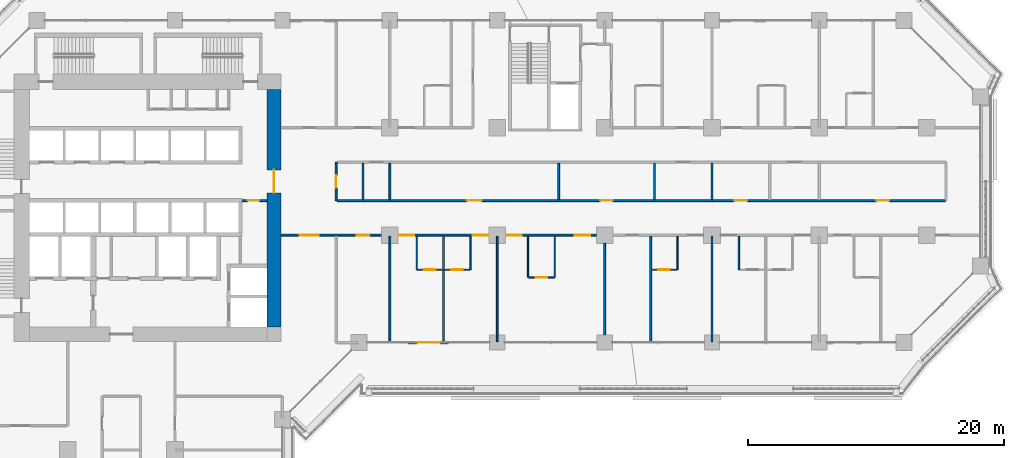
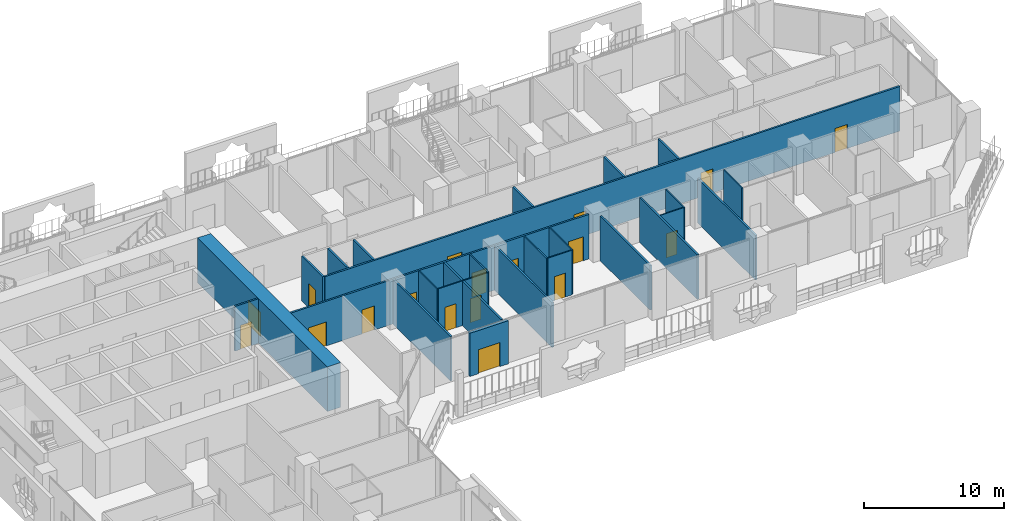
# One storey, part 16 of 29: 26 walls, 18 doors, 18 openings.
"""IFC4 building model written with IfcOpenShell, lengths in metres."""

from ifc_helpers import new_model, si_unit, direction, frame, frame_2d, origin, place, context, subcontext, project, spatial, rectangle, extrude, material, layer, layer_set, type_object, element, fill, save


model = new_model("IFC4")

# Units and contexts
model_context = context("Model", 3, precision=1e-05, world=origin(), true_north=direction((0.0, 1.0)))
body_context = subcontext(model_context, "Body", "Model", "MODEL_VIEW")
ifc_project = project(units=[si_unit("LENGTHUNIT", "METRE"), si_unit("AREAUNIT", "SQUARE_METRE"), si_unit("VOLUMEUNIT", "CUBIC_METRE"), si_unit("PLANEANGLEUNIT", "RADIAN"), si_unit("MASSUNIT", "GRAM", prefix="KILO")], contexts=[model_context])

# Site, building, storey
site_placement = place(None, origin())
site = spatial("IfcSite", under=ifc_project, at=site_placement, CompositionType="ELEMENT")
building_placement = place(site_placement, origin())
building = spatial("IfcBuilding", under=site, at=building_placement, Name="Kawkab Arch Medical Tower", CompositionType="ELEMENT")
storey_placement = place(building_placement, frame((0.0, 0.0, 64.39990234375)))
storey = spatial("IfcBuildingStorey", under=building, at=storey_placement, Name="L14", CompositionType="ELEMENT", Elevation=64.39990234375)

# Wall, opening, door
ifc_material_1 = material(Name="Concrete C60/75", Category="concrete")
ifc_layer_1 = layer(ifc_material_1, 1.10009765625)
ifc_layer_set_1 = layer_set([ifc_layer_1], Name="Concrete C60/75")
wall_type_1 = type_object("IfcWallType", Name="Core ring wall 1100 C60/75", PredefinedType="SHEAR", material=ifc_layer_set_1)
wall_1_placement = place(storey_placement, frame((24.550048828125, -24.0, 0.0), z_axis=(0.0, 0.0, 1.0), x_axis=(0.0, 1.0, 0.0)))
wall_1 = element("IfcWall", 1, at=wall_1_placement, inside=storey, type_object=wall_type_1, Name="L14 core wall", PredefinedType="SHEAR", context=body_context, shape_type="SweptSolid", body=[
    extrude(rectangle(XDim=18.60009765625, YDim=1.10009765625, at=frame_2d((9.300048828125, 0.0))), origin(), (0.0, 0.0, 1.0), 3.900146484375),
])
opening_1_placement = place(wall_1_placement, frame((10.5, 0.0, 0.0)))
opening_1 = element("IfcOpeningElement", 2, at=opening_1_placement, cuts=wall_1, Name="Opening PD", PredefinedType="OPENING", context=body_context, shape_type="SweptSolid", body=[
    extrude(rectangle(XDim=1.800048828125, YDim=2.10009765625, at=frame_2d((0.89990234375, 1.050048828125))), frame((0.0, 0.56005859375, 0.0), z_axis=(0.0, -1.0, 0.0), x_axis=(1.0, 0.0, 0.0)), (0.0, 0.0, 1.0), 1.1201171875),
])
ifc_material_2 = material(Name="Hollow metal fire door leaf")
door_type_1 = type_object("IfcDoorType", Name="Core entrance doors 1800", OperationType="DOUBLE_DOOR_SINGLE_SWING", PredefinedType="DOOR", material=ifc_material_2)
door_1_placement = place(opening_1_placement, origin())
door_1 = element("IfcDoor", 3, at=door_1_placement, inside=storey, type_object=door_type_1, Name="L14 East entrance doors", OperationType="DOUBLE_DOOR_SINGLE_SWING", OverallHeight=2.10009765625, OverallWidth=1.800048828125, PredefinedType="DOOR", context=body_context, shape_type="SweptSolid", body=[
    extrude(rectangle(XDim=1.800048828125, YDim=2.10009765625, at=frame_2d((0.89990234375, 1.050048828125))), frame((0.0, 0.02490234375, 0.0), z_axis=(0.0, -1.0, 0.0), x_axis=(1.0, 0.0, 0.0)), (0.0, 0.0, 1.0), 0.050048828125),
])
fill(opening_1, door_1)

ifc_material_3 = material(Name="Gypsum board on steel studs", Category="steel")
ifc_layer_2 = layer(ifc_material_3, 0.14990234375)
ifc_layer_set_2 = layer_set([ifc_layer_2], Name="Gypsum board on steel studs")
wall_type_2 = type_object("IfcWallType", Name="Core room partition 150", PredefinedType="PARTITIONING", material=ifc_layer_set_2)
wall_2_placement = place(storey_placement, frame((22.050048828125, -14.10009765625, 0.0), z_axis=(0.0, 0.0, 1.0), x_axis=(1.0, 0.0, 0.0)))
wall_2 = element("IfcWall", 4, at=wall_2_placement, inside=storey, type_object=wall_type_2, Name="L14 core room partition", PredefinedType="PARTITIONING", context=body_context, shape_type="SweptSolid", body=[
    extrude(rectangle(XDim=1.949951171875, YDim=0.14990234375, at=frame_2d((0.97509765625, 0.0))), origin(), (0.0, 0.0, 1.0), 3.900146484375),
])
opening_2_placement = place(wall_2_placement, frame((0.449951171875, 0.0, 0.0)))
opening_2 = element("IfcOpeningElement", 5, at=opening_2_placement, cuts=wall_2, Name="Opening RD", PredefinedType="OPENING", context=body_context, shape_type="SweptSolid", body=[
    extrude(rectangle(XDim=0.89990234375, YDim=2.10009765625, at=frame_2d((0.449951171875, 1.050048828125))), frame((0.0, 0.0849609375, 0.0), z_axis=(0.0, -1.0, 0.0), x_axis=(1.0, 0.0, 0.0)), (0.0, 0.0, 1.0), 0.169921875),
])
ifc_material_4 = material(Name="Hollow metal fire door leaf")
door_type_2 = type_object("IfcDoorType", Name="Core room door 900", OperationType="SINGLE_SWING_LEFT", PredefinedType="DOOR", material=ifc_material_4)
door_2_placement = place(opening_2_placement, origin())
door_2 = element("IfcDoor", 6, at=door_2_placement, inside=storey, type_object=door_type_2, Name="L14 Data room door", OperationType="SINGLE_SWING_LEFT", OverallHeight=2.10009765625, OverallWidth=0.89990234375, PredefinedType="DOOR", context=body_context, shape_type="SweptSolid", body=[
    extrude(rectangle(XDim=0.89990234375, YDim=2.10009765625, at=frame_2d((0.449951171875, 1.050048828125))), frame((0.0, 0.02490234375, 0.0), z_axis=(0.0, -1.0, 0.0), x_axis=(1.0, 0.0, 0.0)), (0.0, 0.0, 1.0), 0.050048828125),
])
fill(opening_2, door_2)

ifc_material_5 = material(Name="Bronze clad insulated wall panel")
ifc_layer_3 = layer(ifc_material_5, 0.25)
ifc_layer_set_3 = layer_set([ifc_layer_3], Name="Bronze clad insulated wall panel")
wall_type_3 = type_object("IfcWallType", Name="External wall bay 250", PredefinedType="SOLIDWALL", material=ifc_layer_set_3)
wall_3_placement = place(storey_placement, frame((35.0166015625, -25.199951171875, 0.0), z_axis=(0.0, 0.0, 1.0), x_axis=(1.0, 0.0, 0.0)))
wall_3 = element("IfcWall", 7, at=wall_3_placement, inside=storey, type_object=wall_type_3, Name="External wall bay L14.R07.1.2", PredefinedType="SOLIDWALL", context=body_context, shape_type="SweptSolid", body=[
    extrude(rectangle(XDim=3.191650390625, YDim=0.25, at=frame_2d((1.595703125, 0.0))), origin(), (0.0, 0.0, 1.0), 3.780029296875),
])
opening_3_placement = place(wall_3_placement, frame((0.69580078125, 0.0, 0.0)))
opening_3 = element("IfcOpeningElement", 8, at=opening_3_placement, cuts=wall_3, Name="Opening W14-702", PredefinedType="OPENING", context=body_context, shape_type="SweptSolid", body=[
    extrude(rectangle(XDim=1.800048828125, YDim=2.10009765625, at=frame_2d((0.89990234375, 1.050048828125))), frame((0.0, 0.135009765625, 0.0), z_axis=(0.0, -1.0, 0.0), x_axis=(1.0, 0.0, 0.0)), (0.0, 0.0, 1.0), 0.27001953125),
])
ifc_material_6 = material(Name="Bronze anodised aluminium door with tinted glass", Category="aluminium")
door_type_3 = type_object("IfcDoorType", Name="Double external door 1800 x 2100", OperationType="DOUBLE_DOOR_SINGLE_SWING", PredefinedType="DOOR", material=ifc_material_6)
door_3_placement = place(opening_3_placement, origin())
door_3 = element("IfcDoor", 9, at=door_3_placement, inside=storey, type_object=door_type_3, Name="External door L14.R07.1.2", OperationType="DOUBLE_DOOR_SINGLE_SWING", OverallHeight=2.10009765625, OverallWidth=1.800048828125, PredefinedType="DOOR", context=body_context, shape_type="SweptSolid", body=[
    extrude(rectangle(XDim=1.800048828125, YDim=2.10009765625, at=frame_2d((0.89990234375, 1.050048828125))), frame((0.0, 0.02490234375, 0.0), z_axis=(0.0, -1.0, 0.0), x_axis=(1.0, 0.0, 0.0)), (0.0, 0.0, 1.0), 0.050048828125),
])
fill(opening_3, door_3)

ifc_material_7 = material(Name="Gypsum board partition on steel studs", Category="steel")
ifc_layer_4 = layer(ifc_material_7, 0.10009765625)
ifc_layer_set_4 = layer_set([ifc_layer_4], Name="Gypsum board partition on steel studs")
wall_type_4 = type_object("IfcWallType", Name="Partition 100", PredefinedType="PARTITIONING", material=ifc_layer_set_4)
wall_4_placement = place(storey_placement, frame((44.451904296875, -20.10009765625, 0.0), z_axis=(0.0, 0.0, 1.0), x_axis=(1.0, 0.0, 0.0)))
wall_4 = element("IfcWall", 10, at=wall_4_placement, inside=storey, type_object=wall_type_4, Name="Partition 100 w010", PredefinedType="PARTITIONING", context=body_context, shape_type="SweptSolid", body=[
    extrude(rectangle(XDim=1.99609375, YDim=0.10009765625, at=frame_2d((0.998046875, 0.0))), origin(), (0.0, 0.0, 1.0), 3.900146484375),
])
opening_4_placement = place(wall_4_placement, frame((0.548095703125, 0.0, 0.0)))
opening_4 = element("IfcOpeningElement", 11, at=opening_4_placement, cuts=wall_4, Name="Opening W14-013", PredefinedType="OPENING", context=body_context, shape_type="SweptSolid", body=[
    extrude(rectangle(XDim=0.89990234375, YDim=2.10009765625, at=frame_2d((0.449951171875, 1.050048828125))), frame((0.0, 0.06005859375, 0.0), z_axis=(0.0, -1.0, 0.0), x_axis=(1.0, 0.0, 0.0)), (0.0, 0.0, 1.0), 0.1201171875),
])
ifc_material_8 = material(Name="Timber door leaf", Category="wood")
door_type_4 = type_object("IfcDoorType", Name="Single door 900x2100", OperationType="NOTDEFINED", PredefinedType="DOOR", material=ifc_material_8)
door_4_placement = place(opening_4_placement, origin())
door_4 = element("IfcDoor", 12, at=door_4_placement, inside=storey, type_object=door_type_4, Name="Door W14-013", OperationType="SINGLE_SWING_LEFT", OverallHeight=2.10009765625, OverallWidth=0.89990234375, PredefinedType="DOOR", context=body_context, shape_type="SweptSolid", body=[
    extrude(rectangle(XDim=0.89990234375, YDim=2.10009765625, at=frame_2d((0.449951171875, 1.050048828125))), frame((0.0, 0.02490234375, 0.0), z_axis=(0.0, -1.0, 0.0), x_axis=(1.0, 0.0, 0.0)), (0.0, 0.0, 1.0), 0.050048828125),
])
fill(opening_4, door_4)

# Wall, openings, doors
wall_5_placement = place(storey_placement, frame((35.75, -19.5, 0.0), z_axis=(0.0, 0.0, 1.0), x_axis=(1.0, 0.0, 0.0)))
wall_5 = element("IfcWall", 13, at=wall_5_placement, inside=storey, type_object=wall_type_4, Name="Partition 100 w012", PredefinedType="PARTITIONING", context=body_context, shape_type="SweptSolid", body=[
    extrude(rectangle(XDim=4.10009765625, YDim=0.10009765625, at=frame_2d((2.050048828125, 0.0))), origin(), (0.0, 0.0, 1.0), 3.900146484375),
])
opening_5_placement = place(wall_5_placement, frame((0.550048828125, 0.0, 0.0)))
opening_5 = element("IfcOpeningElement", 14, at=opening_5_placement, cuts=wall_5, Name="Opening W14-011", PredefinedType="OPENING", context=body_context, shape_type="SweptSolid", body=[
    extrude(rectangle(XDim=0.89990234375, YDim=2.10009765625, at=frame_2d((0.449951171875, 1.050048828125))), frame((0.0, 0.06005859375, 0.0), z_axis=(0.0, -1.0, 0.0), x_axis=(1.0, 0.0, 0.0)), (0.0, 0.0, 1.0), 0.1201171875),
])
opening_6_placement = place(wall_5_placement, frame((2.64990234375, 0.0, 0.0)))
opening_6 = element("IfcOpeningElement", 15, at=opening_6_placement, cuts=wall_5, Name="Opening W14-012", PredefinedType="OPENING", context=body_context, shape_type="SweptSolid", body=[
    extrude(rectangle(XDim=0.89990234375, YDim=2.10009765625, at=frame_2d((0.449951171875, 1.050048828125))), frame((0.0, 0.06005859375, 0.0), z_axis=(0.0, -1.0, 0.0), x_axis=(1.0, 0.0, 0.0)), (0.0, 0.0, 1.0), 0.1201171875),
])
door_5_placement = place(opening_5_placement, origin())
door_5 = element("IfcDoor", 16, at=door_5_placement, inside=storey, type_object=door_type_4, Name="Door W14-011", OperationType="SINGLE_SWING_RIGHT", OverallHeight=2.10009765625, OverallWidth=0.89990234375, PredefinedType="DOOR", context=body_context, shape_type="SweptSolid", body=[
    extrude(rectangle(XDim=0.89990234375, YDim=2.10009765625, at=frame_2d((0.449951171875, 1.050048828125))), frame((0.0, 0.02490234375, 0.0), z_axis=(0.0, -1.0, 0.0), x_axis=(1.0, 0.0, 0.0)), (0.0, 0.0, 1.0), 0.050048828125),
])
fill(opening_5, door_5)
door_6_placement = place(opening_6_placement, origin())
door_6 = element("IfcDoor", 17, at=door_6_placement, inside=storey, type_object=door_type_4, Name="Door W14-012", OperationType="SINGLE_SWING_LEFT", OverallHeight=2.10009765625, OverallWidth=0.89990234375, PredefinedType="DOOR", context=body_context, shape_type="SweptSolid", body=[
    extrude(rectangle(XDim=0.89990234375, YDim=2.10009765625, at=frame_2d((0.449951171875, 1.050048828125))), frame((0.0, 0.02490234375, 0.0), z_axis=(0.0, -1.0, 0.0), x_axis=(1.0, 0.0, 0.0)), (0.0, 0.0, 1.0), 0.050048828125),
])
fill(opening_6, door_6)

# Wall, opening, door
wall_6_placement = place(storey_placement, frame((54.074951171875, -19.5, 0.0), z_axis=(0.0, 0.0, 1.0), x_axis=(1.0, 0.0, 0.0)))
wall_6 = element("IfcWall", 18, at=wall_6_placement, inside=storey, type_object=wall_type_4, Name="Partition 100 w013", PredefinedType="PARTITIONING", context=body_context, shape_type="SweptSolid", body=[
    extrude(rectangle(XDim=1.97509765625, YDim=0.10009765625, at=frame_2d((0.987548828125, 0.0))), origin(), (0.0, 0.0, 1.0), 3.900146484375),
])
opening_7_placement = place(wall_6_placement, frame((0.52490234375, 0.0, 0.0)))
opening_7 = element("IfcOpeningElement", 19, at=opening_7_placement, cuts=wall_6, Name="Opening W14-015", PredefinedType="OPENING", context=body_context, shape_type="SweptSolid", body=[
    extrude(rectangle(XDim=0.89990234375, YDim=2.10009765625, at=frame_2d((0.449951171875, 1.050048828125))), frame((0.0, 0.06005859375, 0.0), z_axis=(0.0, -1.0, 0.0), x_axis=(1.0, 0.0, 0.0)), (0.0, 0.0, 1.0), 0.1201171875),
])
door_7_placement = place(opening_7_placement, origin())
door_7 = element("IfcDoor", 20, at=door_7_placement, inside=storey, type_object=door_type_4, Name="Door W14-015", OperationType="SINGLE_SWING_RIGHT", OverallHeight=2.10009765625, OverallWidth=0.89990234375, PredefinedType="DOOR", context=body_context, shape_type="SweptSolid", body=[
    extrude(rectangle(XDim=0.89990234375, YDim=2.10009765625, at=frame_2d((0.449951171875, 1.050048828125))), frame((0.0, 0.02490234375, 0.0), z_axis=(0.0, -1.0, 0.0), x_axis=(1.0, 0.0, 0.0)), (0.0, 0.0, 1.0), 0.050048828125),
])
fill(opening_7, door_7)

# Walls
for number, where, z_axis, x_axis, name in (
    (21, (35.699951171875, -19.5, 0.0), (0.0, 0.0, 1.0), (0.0, 1.0, 0.0), "Partition 100 w027"),
    (22, (39.89990234375, -19.5, 0.0), (0.0, 0.0, 1.0), (0.0, 1.0, 0.0), "Partition 100 w029"),
):
    element("IfcWall", number, at=place(storey_placement, frame(where, z_axis=z_axis, x_axis=x_axis)), inside=storey, type_object=wall_type_4, Name=name, PredefinedType="PARTITIONING", context=body_context, shape_type="SweptSolid", body=[
        extrude(rectangle(XDim=2.625, YDim=0.10009765625, at=frame_2d((1.3125, 0.0))), origin(), (0.0, 0.0, 1.0), 3.900146484375),
    ])
wall_7_placement = place(storey_placement, frame((44.39990234375, -20.09912109375, 0.0), z_axis=(0.0, 0.0, 1.0), x_axis=(0.0, 1.0, 0.0)))
element("IfcWall", 23, at=wall_7_placement, inside=storey, type_object=wall_type_4, Name="Partition 100 w030", PredefinedType="PARTITIONING", context=body_context, shape_type="SweptSolid", body=[
    extrude(rectangle(XDim=3.22412109375, YDim=0.10009765625, at=frame_2d((1.612060546875, 0.0))), origin(), (0.0, 0.0, 1.0), 3.900146484375),
])
wall_8_placement = place(storey_placement, frame((46.5, -20.097900390625, 0.0), z_axis=(0.0, 0.0, 1.0), x_axis=(0.0, 1.0, 0.0)))
element("IfcWall", 24, at=wall_8_placement, inside=storey, type_object=wall_type_4, Name="Partition 100 w031", PredefinedType="PARTITIONING", context=body_context, shape_type="SweptSolid", body=[
    extrude(rectangle(XDim=3.222900390625, YDim=0.10009765625, at=frame_2d((1.611328125, 0.0))), origin(), (0.0, 0.0, 1.0), 3.900146484375),
])
for number, where, z_axis, x_axis, name in (
    (25, (56.10009765625, -19.5, 0.0), (0.0, 0.0, 1.0), (0.0, 1.0, 0.0), "Partition 100 w033"),
    (26, (60.89990234375, -19.5, 0.0), (0.0, 0.0, 1.0), (0.0, 1.0, 0.0), "Partition 100 w034"),
):
    element("IfcWall", number, at=place(storey_placement, frame(where, z_axis=z_axis, x_axis=x_axis)), inside=storey, type_object=wall_type_4, Name=name, PredefinedType="PARTITIONING", context=body_context, shape_type="SweptSolid", body=[
        extrude(rectangle(XDim=2.625, YDim=0.10009765625, at=frame_2d((1.3125, 0.0))), origin(), (0.0, 0.0, 1.0), 3.900146484375),
    ])

# Wall, openings, doors
ifc_material_9 = material(Name="Gypsum board partition on steel studs, mineral wool", Category="steel")
ifc_layer_5 = layer(ifc_material_9, 0.14990234375)
ifc_layer_set_5 = layer_set([ifc_layer_5], Name="Gypsum board partition on steel studs, mineral wool")
wall_type_5 = type_object("IfcWallType", Name="Partition 150", PredefinedType="PARTITIONING", material=ifc_layer_set_5)
wall_9_placement = place(storey_placement, frame((25.10009765625, -16.800048828125, 0.0), z_axis=(0.0, 0.0, 1.0), x_axis=(1.0, 0.0, 0.0)))
wall_9 = element("IfcWall", 27, at=wall_9_placement, inside=storey, type_object=wall_type_5, Name="Partition 150 w062", PredefinedType="PARTITIONING", context=body_context, shape_type="SweptSolid", body=[
    extrude(rectangle(XDim=24.64990234375, YDim=0.14990234375, at=frame_2d((12.324951171875, 0.0))), origin(), (0.0, 0.0, 1.0), 3.900146484375),
])
opening_8_placement = place(wall_9_placement, frame((1.449951171875, 0.0, 0.0)))
opening_8 = element("IfcOpeningElement", 28, at=opening_8_placement, cuts=wall_9, Name="Opening W14-001", PredefinedType="OPENING", context=body_context, shape_type="SweptSolid", body=[
    extrude(rectangle(XDim=1.5, YDim=2.10009765625, at=frame_2d((0.75, 1.050048828125))), frame((0.0, 0.0849609375, 0.0), z_axis=(0.0, -1.0, 0.0), x_axis=(1.0, 0.0, 0.0)), (0.0, 0.0, 1.0), 0.169921875),
])
opening_9_placement = place(wall_9_placement, frame((5.89990234375, 0.0, 0.0)))
opening_9 = element("IfcOpeningElement", 29, at=opening_9_placement, cuts=wall_9, Name="Opening W14-038", PredefinedType="OPENING", context=body_context, shape_type="SweptSolid", body=[
    extrude(rectangle(XDim=1.0, YDim=2.10009765625, at=frame_2d((0.5, 1.050048828125))), frame((0.0, 0.0849609375, 0.0), z_axis=(0.0, -1.0, 0.0), x_axis=(1.0, 0.0, 0.0)), (0.0, 0.0, 1.0), 0.169921875),
])
opening_10_placement = place(wall_9_placement, frame((9.199951171875, 0.0, 0.0)))
opening_10 = element("IfcOpeningElement", 30, at=opening_10_placement, cuts=wall_9, Name="Opening W14-057", PredefinedType="OPENING", context=body_context, shape_type="SweptSolid", body=[
    extrude(rectangle(XDim=1.199951171875, YDim=2.10009765625, at=frame_2d((0.60009765625, 1.050048828125))), frame((0.0, 0.0849609375, 0.0), z_axis=(0.0, -1.0, 0.0), x_axis=(1.0, 0.0, 0.0)), (0.0, 0.0, 1.0), 0.169921875),
])
opening_11_placement = place(wall_9_placement, frame((15.0, 0.0, 0.0)))
opening_11 = element("IfcOpeningElement", 31, at=opening_11_placement, cuts=wall_9, Name="Opening W14-058", PredefinedType="OPENING", context=body_context, shape_type="SweptSolid", body=[
    extrude(rectangle(XDim=1.199951171875, YDim=2.10009765625, at=frame_2d((0.60009765625, 1.050048828125))), frame((0.0, 0.0849609375, 0.0), z_axis=(0.0, -1.0, 0.0), x_axis=(1.0, 0.0, 0.0)), (0.0, 0.0, 1.0), 0.169921875),
])
opening_12_placement = place(wall_9_placement, frame((22.967041015625, 0.0, 0.0)))
opening_12 = element("IfcOpeningElement", 32, at=opening_12_placement, cuts=wall_9, Name="Opening W14-059", PredefinedType="OPENING", context=body_context, shape_type="SweptSolid", body=[
    extrude(rectangle(XDim=1.199951171875, YDim=2.10009765625, at=frame_2d((0.60009765625, 1.050048828125))), frame((0.0, 0.0849609375, 0.0), z_axis=(0.0, -1.0, 0.0), x_axis=(1.0, 0.0, 0.0)), (0.0, 0.0, 1.0), 0.169921875),
])
opening_13_placement = place(wall_9_placement, frame((17.60009765625, 0.0, 0.0)))
opening_13 = element("IfcOpeningElement", 33, at=opening_13_placement, cuts=wall_9, Name="Opening W14-060", PredefinedType="OPENING", context=body_context, shape_type="SweptSolid", body=[
    extrude(rectangle(XDim=1.199951171875, YDim=2.10009765625, at=frame_2d((0.60009765625, 1.050048828125))), frame((0.0, 0.0849609375, 0.0), z_axis=(0.0, -1.0, 0.0), x_axis=(1.0, 0.0, 0.0)), (0.0, 0.0, 1.0), 0.169921875),
])
ifc_material_10 = material(Name="Hollow metal door leaf")
door_type_5 = type_object("IfcDoorType", Name="Double door 1500x2100 FD30S", OperationType="NOTDEFINED", PredefinedType="DOOR", material=ifc_material_10)
door_8_placement = place(opening_8_placement, origin())
door_8 = element("IfcDoor", 34, at=door_8_placement, inside=storey, type_object=door_type_5, Name="Door W14-001", OperationType="DOUBLE_DOOR_SINGLE_SWING", OverallHeight=2.10009765625, OverallWidth=1.5, PredefinedType="DOOR", context=body_context, shape_type="SweptSolid", body=[
    extrude(rectangle(XDim=1.5, YDim=2.10009765625, at=frame_2d((0.75, 1.050048828125))), frame((0.0, 0.02490234375, 0.0), z_axis=(0.0, -1.0, 0.0), x_axis=(1.0, 0.0, 0.0)), (0.0, 0.0, 1.0), 0.050048828125),
])
fill(opening_8, door_8)
ifc_material_11 = material(Name="Hollow metal door leaf")
door_type_6 = type_object("IfcDoorType", Name="Single door 1000x2100 FD30S", OperationType="NOTDEFINED", PredefinedType="DOOR", material=ifc_material_11)
door_9_placement = place(opening_9_placement, origin())
door_9 = element("IfcDoor", 35, at=door_9_placement, inside=storey, type_object=door_type_6, Name="Door W14-038", OperationType="SINGLE_SWING_RIGHT", OverallHeight=2.10009765625, OverallWidth=1.0, PredefinedType="DOOR", context=body_context, shape_type="SweptSolid", body=[
    extrude(rectangle(XDim=1.0, YDim=2.10009765625, at=frame_2d((0.5, 1.050048828125))), frame((0.0, 0.02490234375, 0.0), z_axis=(0.0, -1.0, 0.0), x_axis=(1.0, 0.0, 0.0)), (0.0, 0.0, 1.0), 0.050048828125),
])
fill(opening_9, door_9)
ifc_material_12 = material(Name="Hollow metal door leaf")
door_type_7 = type_object("IfcDoorType", Name="Single door 1200x2100 FD30S", OperationType="NOTDEFINED", PredefinedType="DOOR", material=ifc_material_12)
door_10_placement = place(opening_10_placement, origin())
door_10 = element("IfcDoor", 36, at=door_10_placement, inside=storey, type_object=door_type_7, Name="Door W14-057", OperationType="SINGLE_SWING_RIGHT", OverallHeight=2.10009765625, OverallWidth=1.199951171875, PredefinedType="DOOR", context=body_context, shape_type="SweptSolid", body=[
    extrude(rectangle(XDim=1.199951171875, YDim=2.10009765625, at=frame_2d((0.60009765625, 1.050048828125))), frame((0.0, 0.02490234375, 0.0), z_axis=(0.0, -1.0, 0.0), x_axis=(1.0, 0.0, 0.0)), (0.0, 0.0, 1.0), 0.050048828125),
])
fill(opening_10, door_10)
door_11_placement = place(opening_11_placement, origin())
door_11 = element("IfcDoor", 37, at=door_11_placement, inside=storey, type_object=door_type_7, Name="Door W14-058", OperationType="SINGLE_SWING_LEFT", OverallHeight=2.10009765625, OverallWidth=1.199951171875, PredefinedType="DOOR", context=body_context, shape_type="SweptSolid", body=[
    extrude(rectangle(XDim=1.199951171875, YDim=2.10009765625, at=frame_2d((0.60009765625, 1.050048828125))), frame((0.0, 0.02490234375, 0.0), z_axis=(0.0, -1.0, 0.0), x_axis=(1.0, 0.0, 0.0)), (0.0, 0.0, 1.0), 0.050048828125),
])
fill(opening_11, door_11)
door_12_placement = place(opening_12_placement, origin())
door_12 = element("IfcDoor", 38, at=door_12_placement, inside=storey, type_object=door_type_7, Name="Door W14-059", OperationType="SINGLE_SWING_LEFT", OverallHeight=2.10009765625, OverallWidth=1.199951171875, PredefinedType="DOOR", context=body_context, shape_type="SweptSolid", body=[
    extrude(rectangle(XDim=1.199951171875, YDim=2.10009765625, at=frame_2d((0.60009765625, 1.050048828125))), frame((0.0, 0.02490234375, 0.0), z_axis=(0.0, -1.0, 0.0), x_axis=(1.0, 0.0, 0.0)), (0.0, 0.0, 1.0), 0.050048828125),
])
fill(opening_12, door_12)
door_13_placement = place(opening_13_placement, origin())
door_13 = element("IfcDoor", 39, at=door_13_placement, inside=storey, type_object=door_type_7, Name="Door W14-060", OperationType="SINGLE_SWING_LEFT", OverallHeight=2.10009765625, OverallWidth=1.199951171875, PredefinedType="DOOR", context=body_context, shape_type="SweptSolid", body=[
    extrude(rectangle(XDim=1.199951171875, YDim=2.10009765625, at=frame_2d((0.60009765625, 1.050048828125))), frame((0.0, 0.02490234375, 0.0), z_axis=(0.0, -1.0, 0.0), x_axis=(1.0, 0.0, 0.0)), (0.0, 0.0, 1.0), 0.050048828125),
])
fill(opening_13, door_13)

wall_10_placement = place(storey_placement, frame((29.47509765625, -14.10009765625, 0.0), z_axis=(0.0, 0.0, 1.0), x_axis=(1.0, 0.0, 0.0)))
wall_10 = element("IfcWall", 40, at=wall_10_placement, inside=storey, type_object=wall_type_5, Name="Partition 150 w064", PredefinedType="PARTITIONING", context=body_context, shape_type="SweptSolid", body=[
    extrude(rectangle(XDim=47.5498046875, YDim=0.14990234375, at=frame_2d((23.77490234375, 0.0))), origin(), (0.0, 0.0, 1.0), 3.900146484375),
])
opening_14_placement = place(wall_10_placement, frame((10.125, 0.0, 0.0)))
opening_14 = element("IfcOpeningElement", 41, at=opening_14_placement, cuts=wall_10, Name="Opening W14-056", PredefinedType="OPENING", context=body_context, shape_type="SweptSolid", body=[
    extrude(rectangle(XDim=1.199951171875, YDim=2.10009765625, at=frame_2d((0.60009765625, 1.050048828125))), frame((0.0, 0.0849609375, 0.0), z_axis=(0.0, -1.0, 0.0), x_axis=(1.0, 0.0, 0.0)), (0.0, 0.0, 1.0), 0.169921875),
])
opening_15_placement = place(wall_10_placement, frame((20.574951171875, 0.0, 0.0)))
opening_15 = element("IfcOpeningElement", 42, at=opening_15_placement, cuts=wall_10, Name="Opening W14-033", PredefinedType="OPENING", context=body_context, shape_type="SweptSolid", body=[
    extrude(rectangle(XDim=1.0, YDim=2.10009765625, at=frame_2d((0.5, 1.050048828125))), frame((0.0, 0.0849609375, 0.0), z_axis=(0.0, -1.0, 0.0), x_axis=(1.0, 0.0, 0.0)), (0.0, 0.0, 1.0), 0.169921875),
])
opening_16_placement = place(wall_10_placement, frame((31.074951171875, 0.0, 0.0)))
opening_16 = element("IfcOpeningElement", 43, at=opening_16_placement, cuts=wall_10, Name="Opening W14-035", PredefinedType="OPENING", context=body_context, shape_type="SweptSolid", body=[
    extrude(rectangle(XDim=1.0, YDim=2.10009765625, at=frame_2d((0.5, 1.050048828125))), frame((0.0, 0.0849609375, 0.0), z_axis=(0.0, -1.0, 0.0), x_axis=(1.0, 0.0, 0.0)), (0.0, 0.0, 1.0), 0.169921875),
])
opening_17_placement = place(wall_10_placement, frame((42.175048828125, 0.0, 0.0)))
opening_17 = element("IfcOpeningElement", 44, at=opening_17_placement, cuts=wall_10, Name="Opening W14-037", PredefinedType="OPENING", context=body_context, shape_type="SweptSolid", body=[
    extrude(rectangle(XDim=1.0, YDim=2.10009765625, at=frame_2d((0.5, 1.050048828125))), frame((0.0, 0.0849609375, 0.0), z_axis=(0.0, -1.0, 0.0), x_axis=(1.0, 0.0, 0.0)), (0.0, 0.0, 1.0), 0.169921875),
])
door_14_placement = place(opening_15_placement, origin())
door_14 = element("IfcDoor", 45, at=door_14_placement, inside=storey, type_object=door_type_6, Name="Door W14-033", OperationType="SINGLE_SWING_LEFT", OverallHeight=2.10009765625, OverallWidth=1.0, PredefinedType="DOOR", context=body_context, shape_type="SweptSolid", body=[
    extrude(rectangle(XDim=1.0, YDim=2.10009765625, at=frame_2d((0.5, 1.050048828125))), frame((0.0, 0.02490234375, 0.0), z_axis=(0.0, -1.0, 0.0), x_axis=(1.0, 0.0, 0.0)), (0.0, 0.0, 1.0), 0.050048828125),
])
fill(opening_15, door_14)
door_15_placement = place(opening_16_placement, origin())
door_15 = element("IfcDoor", 46, at=door_15_placement, inside=storey, type_object=door_type_6, Name="Door W14-035", OperationType="SINGLE_SWING_RIGHT", OverallHeight=2.10009765625, OverallWidth=1.0, PredefinedType="DOOR", context=body_context, shape_type="SweptSolid", body=[
    extrude(rectangle(XDim=1.0, YDim=2.10009765625, at=frame_2d((0.5, 1.050048828125))), frame((0.0, 0.02490234375, 0.0), z_axis=(0.0, -1.0, 0.0), x_axis=(1.0, 0.0, 0.0)), (0.0, 0.0, 1.0), 0.050048828125),
])
fill(opening_16, door_15)
door_16_placement = place(opening_17_placement, origin())
door_16 = element("IfcDoor", 47, at=door_16_placement, inside=storey, type_object=door_type_6, Name="Door W14-037", OperationType="SINGLE_SWING_RIGHT", OverallHeight=2.10009765625, OverallWidth=1.0, PredefinedType="DOOR", context=body_context, shape_type="SweptSolid", body=[
    extrude(rectangle(XDim=1.0, YDim=2.10009765625, at=frame_2d((0.5, 1.050048828125))), frame((0.0, 0.02490234375, 0.0), z_axis=(0.0, -1.0, 0.0), x_axis=(1.0, 0.0, 0.0)), (0.0, 0.0, 1.0), 0.050048828125),
])
fill(opening_17, door_16)
door_17_placement = place(opening_14_placement, origin())
door_17 = element("IfcDoor", 48, at=door_17_placement, inside=storey, type_object=door_type_7, Name="Door W14-056", OperationType="SINGLE_SWING_LEFT", OverallHeight=2.10009765625, OverallWidth=1.199951171875, PredefinedType="DOOR", context=body_context, shape_type="SweptSolid", body=[
    extrude(rectangle(XDim=1.199951171875, YDim=2.10009765625, at=frame_2d((0.60009765625, 1.050048828125))), frame((0.0, 0.02490234375, 0.0), z_axis=(0.0, -1.0, 0.0), x_axis=(1.0, 0.0, 0.0)), (0.0, 0.0, 1.0), 0.050048828125),
])
fill(opening_14, door_17)

# Wall, opening, door
wall_11_placement = place(storey_placement, frame((29.39990234375, -14.10009765625, 0.0), z_axis=(0.0, 0.0, 1.0), x_axis=(0.0, 1.0, 0.0)))
wall_11 = element("IfcWall", 49, at=wall_11_placement, inside=storey, type_object=wall_type_5, Name="Partition 150 w080", PredefinedType="PARTITIONING", context=body_context, shape_type="SweptSolid", body=[
    extrude(rectangle(XDim=3.0, YDim=0.14990234375, at=frame_2d((1.5, 0.0))), origin(), (0.0, 0.0, 1.0), 3.900146484375),
])
opening_18_placement = place(wall_11_placement, frame((1.0, 0.0, 0.0)))
opening_18 = element("IfcOpeningElement", 50, at=opening_18_placement, cuts=wall_11, Name="Opening W14-030", PredefinedType="OPENING", context=body_context, shape_type="SweptSolid", body=[
    extrude(rectangle(XDim=1.0, YDim=2.10009765625, at=frame_2d((0.5, 1.050048828125))), frame((0.0, 0.0849609375, 0.0), z_axis=(0.0, -1.0, 0.0), x_axis=(1.0, 0.0, 0.0)), (0.0, 0.0, 1.0), 0.169921875),
])
ifc_material_13 = material(Name="Timber door leaf", Category="wood")
door_type_8 = type_object("IfcDoorType", Name="Single door 1000x2100", OperationType="NOTDEFINED", PredefinedType="DOOR", material=ifc_material_13)
door_18_placement = place(opening_18_placement, origin())
door_18 = element("IfcDoor", 51, at=door_18_placement, inside=storey, type_object=door_type_8, Name="Door W14-030", OperationType="SINGLE_SWING_RIGHT", OverallHeight=2.10009765625, OverallWidth=1.0, PredefinedType="DOOR", context=body_context, shape_type="SweptSolid", body=[
    extrude(rectangle(XDim=1.0, YDim=2.10009765625, at=frame_2d((0.5, 1.050048828125))), frame((0.0, 0.02490234375, 0.0), z_axis=(0.0, -1.0, 0.0), x_axis=(1.0, 0.0, 0.0)), (0.0, 0.0, 1.0), 0.050048828125),
])
fill(opening_18, door_18)

# Walls
wall_12_placement = place(storey_placement, frame((31.5, -14.02490234375, 0.0), z_axis=(0.0, 0.0, 1.0), x_axis=(0.0, 1.0, 0.0)))
element("IfcWall", 52, at=wall_12_placement, inside=storey, type_object=wall_type_5, Name="Partition 150 w082", PredefinedType="PARTITIONING", context=body_context, shape_type="SweptSolid", body=[
    extrude(rectangle(XDim=2.849853515625, YDim=0.14990234375, at=frame_2d((1.4248046875, 0.0))), origin(), (0.0, 0.0, 1.0), 3.900146484375),
])
wall_13_placement = place(storey_placement, frame((33.60009765625, -25.1201171875, 0.0), z_axis=(0.0, 0.0, 1.0), x_axis=(0.0, 1.0, 0.0)))
element("IfcWall", 53, at=wall_13_placement, inside=storey, type_object=wall_type_5, Name="Partition 150 w083", PredefinedType="PARTITIONING", context=body_context, shape_type="SweptSolid", body=[
    extrude(rectangle(XDim=8.2451171875, YDim=0.14990234375, at=frame_2d((4.12255859375, 0.0))), origin(), (0.0, 0.0, 1.0), 3.900146484375),
])
wall_14_placement = place(storey_placement, frame((33.60009765625, -14.02490234375, 0.0), z_axis=(0.0, 0.0, 1.0), x_axis=(0.0, 1.0, 0.0)))
element("IfcWall", 54, at=wall_14_placement, inside=storey, type_object=wall_type_5, Name="Partition 150 w084", PredefinedType="PARTITIONING", context=body_context, shape_type="SweptSolid", body=[
    extrude(rectangle(XDim=2.849853515625, YDim=0.14990234375, at=frame_2d((1.4248046875, 0.0))), origin(), (0.0, 0.0, 1.0), 3.900146484375),
])
for number, where, z_axis, x_axis, name in (
    (55, (37.800048828125, -25.1201171875, 0.0), (0.0, 0.0, 1.0), (0.0, 1.0, 0.0), "Partition 150 w086"),
    (56, (42.0, -25.1201171875, 0.0), (0.0, 0.0, 1.0), (0.0, 1.0, 0.0), "Partition 150 w090"),
):
    element("IfcWall", number, at=place(storey_placement, frame(where, z_axis=z_axis, x_axis=x_axis)), inside=storey, type_object=wall_type_5, Name=name, PredefinedType="PARTITIONING", context=body_context, shape_type="SweptSolid", body=[
        extrude(rectangle(XDim=8.2451171875, YDim=0.14990234375, at=frame_2d((4.12255859375, 0.0))), origin(), (0.0, 0.0, 1.0), 3.900146484375),
    ])
wall_15_placement = place(storey_placement, frame((46.800048828125, -14.02490234375, 0.0), z_axis=(0.0, 0.0, 1.0), x_axis=(0.0, 1.0, 0.0)))
element("IfcWall", 57, at=wall_15_placement, inside=storey, type_object=wall_type_5, Name="Partition 150 w092", PredefinedType="PARTITIONING", context=body_context, shape_type="SweptSolid", body=[
    extrude(rectangle(XDim=2.849853515625, YDim=0.14990234375, at=frame_2d((1.4248046875, 0.0))), origin(), (0.0, 0.0, 1.0), 3.900146484375),
])
wall_16_placement = place(storey_placement, frame((50.39990234375, -24.60009765625, 0.0), z_axis=(0.0, 0.0, 1.0), x_axis=(0.0, 1.0, 0.0)))
element("IfcWall", 58, at=wall_16_placement, inside=storey, type_object=wall_type_5, Name="Partition 150 w093", PredefinedType="PARTITIONING", context=body_context, shape_type="SweptSolid", body=[
    extrude(rectangle(XDim=7.150146484375, YDim=0.14990234375, at=frame_2d((3.5751953125, 0.0))), origin(), (0.0, 0.0, 1.0), 3.900146484375),
])
wall_17_placement = place(storey_placement, frame((54.0, -25.1201171875, 0.0), z_axis=(0.0, 0.0, 1.0), x_axis=(0.0, 1.0, 0.0)))
element("IfcWall", 59, at=wall_17_placement, inside=storey, type_object=wall_type_5, Name="Partition 150 w096", PredefinedType="PARTITIONING", context=body_context, shape_type="SweptSolid", body=[
    extrude(rectangle(XDim=8.2451171875, YDim=0.14990234375, at=frame_2d((4.12255859375, 0.0))), origin(), (0.0, 0.0, 1.0), 3.900146484375),
])
wall_18_placement = place(storey_placement, frame((54.300048828125, -14.02490234375, 0.0), z_axis=(0.0, 0.0, 1.0), x_axis=(0.0, 1.0, 0.0)))
element("IfcWall", 60, at=wall_18_placement, inside=storey, type_object=wall_type_5, Name="Partition 150 w097", PredefinedType="PARTITIONING", context=body_context, shape_type="SweptSolid", body=[
    extrude(rectangle(XDim=2.849853515625, YDim=0.14990234375, at=frame_2d((1.4248046875, 0.0))), origin(), (0.0, 0.0, 1.0), 3.900146484375),
])
wall_19_placement = place(storey_placement, frame((58.800048828125, -25.1201171875, 0.0), z_axis=(0.0, 0.0, 1.0), x_axis=(0.0, 1.0, 0.0)))
element("IfcWall", 61, at=wall_19_placement, inside=storey, type_object=wall_type_5, Name="Partition 150 w099", PredefinedType="PARTITIONING", context=body_context, shape_type="SweptSolid", body=[
    extrude(rectangle(XDim=8.2451171875, YDim=0.14990234375, at=frame_2d((4.12255859375, 0.0))), origin(), (0.0, 0.0, 1.0), 3.900146484375),
])
wall_20_placement = place(storey_placement, frame((58.800048828125, -14.02490234375, 0.0), z_axis=(0.0, 0.0, 1.0), x_axis=(0.0, 1.0, 0.0)))
element("IfcWall", 62, at=wall_20_placement, inside=storey, type_object=wall_type_5, Name="Partition 150 w100", PredefinedType="PARTITIONING", context=body_context, shape_type="SweptSolid", body=[
    extrude(rectangle(XDim=2.849853515625, YDim=0.14990234375, at=frame_2d((1.4248046875, 0.0))), origin(), (0.0, 0.0, 1.0), 3.900146484375),
])

save(model, "model.ifc")
